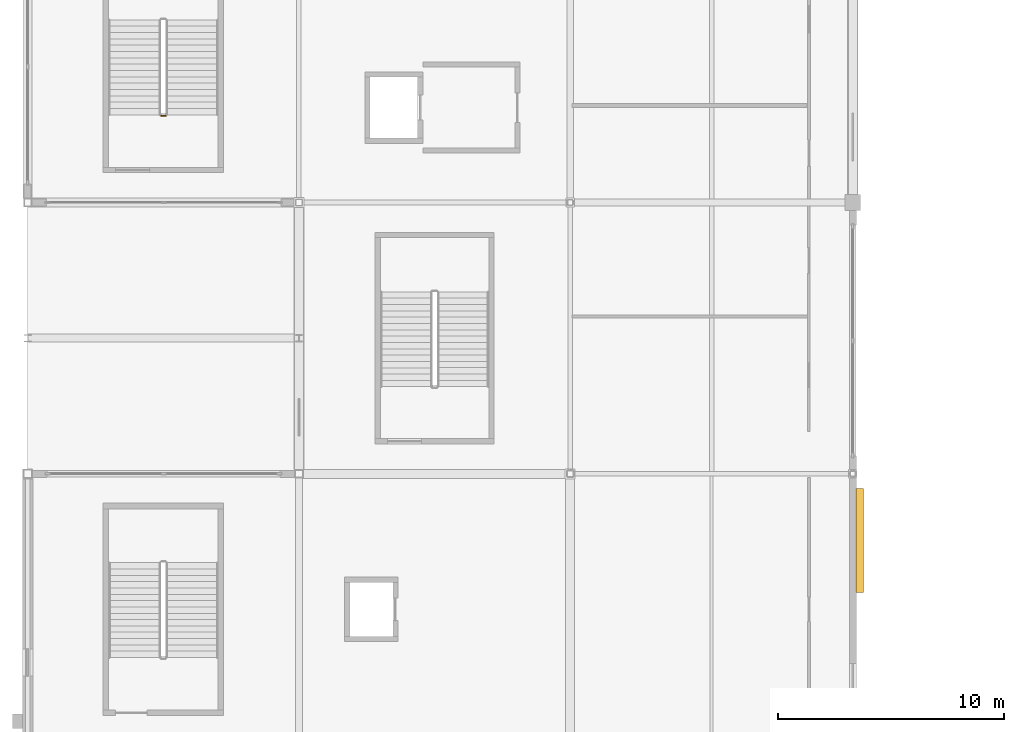
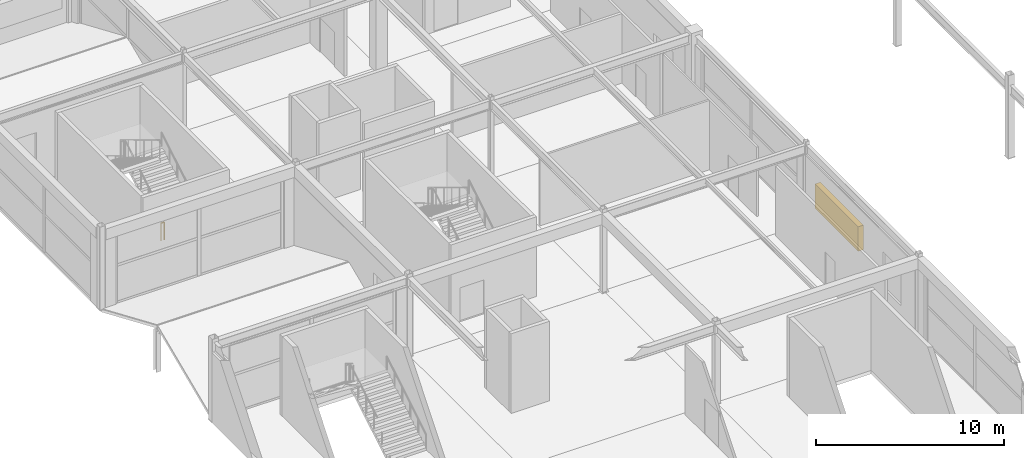
# One storey, part 92 of 105: 1 railing, 1 shading device.
"""IFC4 building model written with IfcOpenShell, lengths in metres."""

from ifc_helpers import new_model, si_unit, direction, frame, origin, origin_2d, place, context, subcontext, project, spatial, rectangle, circle, extrude, material, layer, layer_set, type_object, element, save


model = new_model("IFC4")

# Units and contexts
model_context = context("Model", 3, precision=1e-05, world=origin(), true_north=direction((0.0, 1.0)))
body_context = subcontext(model_context, "Body", "Model", "MODEL_VIEW")
ifc_project = project(units=[si_unit("LENGTHUNIT", "METRE"), si_unit("AREAUNIT", "SQUARE_METRE"), si_unit("VOLUMEUNIT", "CUBIC_METRE"), si_unit("PLANEANGLEUNIT", "RADIAN"), si_unit("MASSUNIT", "GRAM", prefix="KILO")], contexts=[model_context])

# Site, building, storey
site_placement = place(None, origin())
site = spatial("IfcSite", under=ifc_project, at=site_placement, CompositionType="ELEMENT")
building_placement = place(site_placement, origin())
building = spatial("IfcBuilding", under=site, at=building_placement, Name="Kazenohara Klinker Stadium", CompositionType="ELEMENT")
storey_placement = place(building_placement, frame((0.0, 0.0, 20.39990234375)))
storey = spatial("IfcBuildingStorey", under=building, at=storey_placement, Name="L04", CompositionType="ELEMENT", Elevation=20.39990234375)

# Railing
ifc_material_1 = material(Name="Painted steel stairwell guardrail", Category="steel")
ifc_layer = layer(ifc_material_1, 0.06005859375)
ifc_layer_set = layer_set([ifc_layer], Name="Painted steel stairwell guardrail")
railing_type = type_object("IfcRailingType", Name="RL-STG-1120", PredefinedType="GUARDRAIL", material=ifc_layer_set)
railing_placement = place(storey_placement, frame((6.10009765625, 111.830078125, 0.0)))
element("IfcRailing", 1, at=railing_placement, inside=storey, type_object=railing_type, Name="L04 ST04 stair guard 4", PredefinedType="GUARDRAIL", context=body_context, shape_type="SweptSolid", body=[
    extrude(circle(Radius=0.02392578125, at=origin_2d()), frame((0.0, 0.0, 1.1259765625), z_axis=(-1.0, 0.0, 0.0), x_axis=(0.0, -1.0, 0.0)), (0.0, 0.0, 1.0), 0.2001953125),
    extrude(circle(Radius=0.02099609375, at=origin_2d()), origin(), (0.0, 0.0, 1.0), 1.101806640625),
    extrude(circle(Radius=0.02099609375, at=origin_2d()), frame((-0.2001953125, 0.0, 0.0)), (0.0, 0.0, 1.0), 1.101806640625),
])

# Shading device
ifc_material_2 = material(Name="Perforated clinker-brick and bronze louvre grille", Category="masonry")
shading_device_type = type_object("IfcShadingDeviceType", Name="SHD-LOUV-03", PredefinedType="JALOUSIE", material=ifc_material_2)
shading_device_placement = place(storey_placement, frame((36.81005859375, 93.058837890625, 1.300048828125), z_axis=(0.0, 0.0, 1.0), x_axis=(0.0, 1.0, 0.0)))
element("IfcShadingDevice", 2, at=shading_device_placement, inside=storey, type_object=shading_device_type, Name="Perforated clinker-brick louvre screen LV03-23", PredefinedType="JALOUSIE", context=body_context, shape_type="SweptSolid", body=[
    extrude(rectangle(XDim=4.60009765625, YDim=0.320068359375, at=origin_2d()), origin(), (0.0, 0.0, 1.0), 1.60009765625),
])

save(model, "model.ifc")
